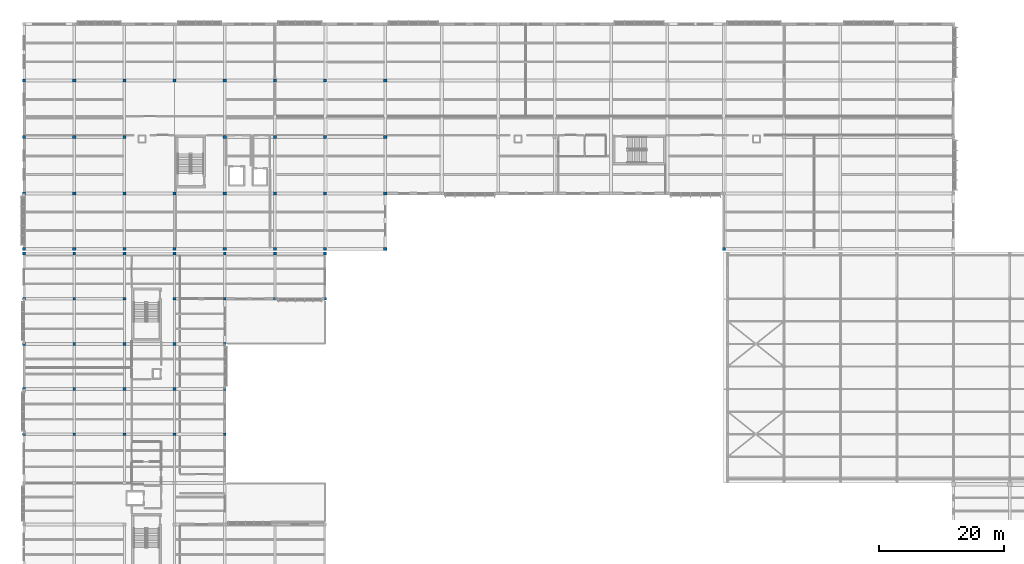
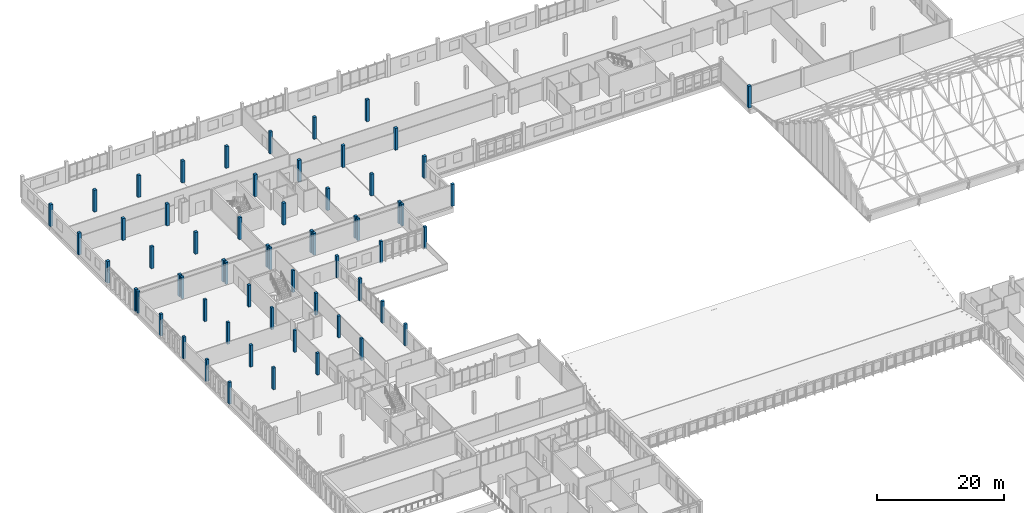
# One storey, part 3 of 182: 61 columns.
"""IFC4 building model written with IfcOpenShell, lengths in metres."""

import ifcopenshell
import ifcopenshell.guid

model = None  # the IFC model being written
_history = None  # IfcOwnerHistory: only IFC2X3 demands one
_inside = {}  # id of a spatial element -> (the spatial element, [elements in it])
_under = {}  # id of a project, library or spatial element -> (it, [spatial elements below it])
_declared = {}  # id of a project -> (the project, [libraries it declares])
_typed = {}  # id of a type object -> (the type object, [elements of that type])
_made_of = {}  # id of a material, layer set ... -> (it, [elements and type objects made of it])


def new_model(schema):
    """Start an empty IFC model of exactly this schema.

    Asked for "IFC4X3", IfcOpenShell would pick the latest addendum, in which some entities
    have other attributes; the version numbers below select the first issue.
    IFC2X3 requires an IfcOwnerHistory on every rooted entity: one is made here for all.
    """
    global model, _history
    if schema == "IFC4X3":
        model = ifcopenshell.file(schema_version=(4, 3, 0, 0))
    else:
        model = ifcopenshell.file(schema=schema)
    _inside.clear()
    _under.clear()
    _declared.clear()
    _typed.clear()
    _made_of.clear()
    _history = None
    if model.schema == "IFC2X3":
        org = make("IfcOrganization", Name="unknown")
        user = make(
            "IfcPersonAndOrganization",
            ThePerson=make("IfcPerson", FamilyName="unknown"),
            TheOrganization=org,
        )
        app = make(
            "IfcApplication",
            ApplicationDeveloper=org,
            Version="unknown",
            ApplicationFullName="unknown",
            ApplicationIdentifier="unknown",
        )
        _history = make(
            "IfcOwnerHistory",
            OwningUser=user,
            OwningApplication=app,
            ChangeAction="ADDED",
            CreationDate=0,
        )
    return model


def make(cls, **values):
    """One entity of the class cls with the attributes given. An attribute that is None is left unset."""
    return model.create_entity(
        cls, **{name: value for name, value in values.items() if value is not None}
    )


def rooted(cls, **values):
    """An entity with a GlobalId (a new one), such as an element, a storey or a relation."""
    return make(cls, GlobalId=ifcopenshell.guid.new(), OwnerHistory=_history, **values)


def si_unit(unit_type, name, prefix=None):
    """IfcSIUnit, for example si_unit("LENGTHUNIT", "METRE", prefix="MILLI")."""
    return make("IfcSIUnit", UnitType=unit_type, Prefix=prefix, Name=name)


def assignment(units):
    """IfcUnitAssignment: the units of a project."""
    return None if units is None else make("IfcUnitAssignment", Units=units)


def point(xyz):
    """IfcCartesianPoint."""
    return None if xyz is None else make("IfcCartesianPoint", Coordinates=xyz)


def direction(xyz):
    """IfcDirection."""
    return None if xyz is None else make("IfcDirection", DirectionRatios=xyz)


def frame(location, z_axis=None, x_axis=None):
    """IfcAxis2Placement3D, a coordinate frame: its origin and axes. An axis left out is left unset."""
    return make(
        "IfcAxis2Placement3D",
        Location=point(location),
        Axis=direction(z_axis),
        RefDirection=direction(x_axis),
    )


def frame_2d(location, x_axis=None):
    """IfcAxis2Placement2D, a coordinate frame in the plane: its origin and x axis."""
    return make(
        "IfcAxis2Placement2D", Location=point(location), RefDirection=direction(x_axis)
    )


def origin():
    """The frame at (0, 0, 0) with its axes left unset."""
    return frame((0.0, 0.0, 0.0))


def origin_2d():
    """The frame at (0, 0) in the plane with its x axis left unset."""
    return frame_2d((0.0, 0.0))


def place(relative_to, where):
    """IfcLocalPlacement: puts the frame where relative to a parent placement (None: the world)."""
    return make(
        "IfcLocalPlacement", PlacementRelTo=relative_to, RelativePlacement=where
    )


def context(
    kind, dimensions, precision=None, world=None, true_north=None, identifier=None
):
    """IfcGeometricRepresentationContext, for example the 3D "Model" context."""
    return make(
        "IfcGeometricRepresentationContext",
        ContextIdentifier=identifier,
        ContextType=kind,
        CoordinateSpaceDimension=dimensions,
        Precision=precision,
        WorldCoordinateSystem=world,
        TrueNorth=true_north,
    )


def subcontext(parent, identifier, kind, view, scale=None):
    """IfcGeometricRepresentationSubContext, for example "Body" below "Model"."""
    return make(
        "IfcGeometricRepresentationSubContext",
        ContextIdentifier=identifier,
        ContextType=kind,
        ParentContext=parent,
        TargetScale=scale,
        TargetView=view,
    )


def project(units=None, contexts=None):
    """IfcProject with its units and contexts."""
    return rooted(
        "IfcProject",
        Name="project",
        RepresentationContexts=contexts,
        UnitsInContext=assignment(units),
    )


def spatial(cls, under=None, at=None, **own):
    """A site, building, storey or space (cls), placed at a placement, below another one or the project."""
    s = rooted(cls, ObjectPlacement=at, **own)
    if under is not None:
        _under.setdefault(under.id(), (under, []))[1].append(s)
    return s


def profile(cls, at=None, kind="AREA", **sizes):
    """A parametric profile (cls). Its sizes go by their IFC names, for example OverallWidth=200.0."""
    return make(cls, ProfileType=kind, Position=at, **sizes)


def rectangle(**sizes):
    """IfcRectangleProfileDef."""
    return profile("IfcRectangleProfileDef", **sizes)


def extrude(swept, where, along, depth):
    """IfcExtrudedAreaSolid: the profile swept, set in the frame where, extruded along a direction by depth."""
    return make(
        "IfcExtrudedAreaSolid",
        SweptArea=swept,
        Position=where,
        ExtrudedDirection=direction(along),
        Depth=depth,
    )


def shape(context_of_items, identifier, shape_type, items):
    """IfcShapeRepresentation: the items that make up one representation, for example the "Body"."""
    return make(
        "IfcShapeRepresentation",
        ContextOfItems=context_of_items,
        RepresentationIdentifier=identifier,
        RepresentationType=shape_type,
        Items=items,
    )


def material(Name=None, Category=None):
    """IfcMaterial."""
    return make("IfcMaterial", Name=Name, Category=Category)


def material_profile(
    of_material, cross_section, Name=None, Category=None, Priority=None
):
    """IfcMaterialProfile: a cross section and its material."""
    return make(
        "IfcMaterialProfile",
        Name=Name,
        Material=of_material,
        Profile=cross_section,
        Priority=Priority,
        Category=Category,
    )


def profile_set(profiles, Name=None, composite=None):
    """IfcMaterialProfileSet."""
    return make(
        "IfcMaterialProfileSet",
        Name=Name,
        MaterialProfiles=profiles,
        CompositeProfile=composite,
    )


def made_of(thing, what):
    """Note that an element or type object is made of a material, layer set ...; save() writes the relation."""
    if what is not None:
        _made_of.setdefault(what.id(), (what, []))[1].append(thing)
    return thing


def type_object(cls, material=None, **own):
    """A type object (cls), such as IfcWallType, which elements share."""
    return made_of(rooted(cls, **own), material)


def element(
    cls,
    number,
    at=None,
    inside=None,
    cuts=None,
    type_object=None,
    material=None,
    context=None,
    identifier="Body",
    shape_type=None,
    held_by="IfcProductDefinitionShape",
    body=None,
    shapes=None,
    **own,
):
    """One element of the class cls, such as IfcWall. Its Tag is "e" and its number.

    at: its placement. inside: the storey or other place that contains it. cuts: it is an
    opening in that element (IfcRelVoidsElement). A single representation is given by context,
    identifier, shape_type and body (its items); several are given by shapes. held_by: the class
    of the entity that holds the representations. save() writes the other relations.
    """
    e = rooted(cls, Tag="e%d" % number, ObjectPlacement=at, **own)
    if body is not None:
        shapes = [shape(context, identifier, shape_type, body)]
    if shapes is not None:
        e.Representation = make(held_by, Representations=shapes)
    if inside is not None:
        _inside.setdefault(inside.id(), (inside, []))[1].append(e)
    if cuts is not None:
        rooted(
            "IfcRelVoidsElement", RelatingBuildingElement=cuts, RelatedOpeningElement=e
        )
    if type_object is not None:
        _typed.setdefault(type_object.id(), (type_object, []))[1].append(e)
    return made_of(e, material)


def aggregate(whole, parts):
    """IfcRelAggregates: a whole, such as a stair, and the parts it consists of."""
    return rooted("IfcRelAggregates", RelatingObject=whole, RelatedObjects=parts)


def save(model, path):
    """Write the relations noted so far, then the file.

    IfcRelAggregates (storeys below a building ...), IfcRelContainedInSpatialStructure (elements
    in a storey), IfcRelDefinesByType, IfcRelAssociatesMaterial and IfcRelDeclares: one each for
    every whole, place, type object, material and project.
    """
    for whole, parts in _under.values():
        aggregate(whole, parts)
    for where, things in _inside.values():
        rooted(
            "IfcRelContainedInSpatialStructure",
            RelatedElements=things,
            RelatingStructure=where,
        )
    for kind, things in _typed.values():
        rooted("IfcRelDefinesByType", RelatedObjects=things, RelatingType=kind)
    for what, things in _made_of.values():
        rooted("IfcRelAssociatesMaterial", RelatedObjects=things, RelatingMaterial=what)
    for by, libraries in _declared.values():
        rooted("IfcRelDeclares", RelatingContext=by, RelatedDefinitions=libraries)
    model.write(path)


model = new_model("IFC4")

# Units and contexts
model_context = context("Model", 3, precision=1e-05, world=origin(), true_north=direction((0.0, 1.0)))
body_context = subcontext(model_context, "Body", "Model", "MODEL_VIEW")
ifc_project = project(units=[si_unit("LENGTHUNIT", "METRE"), si_unit("AREAUNIT", "SQUARE_METRE"), si_unit("VOLUMEUNIT", "CUBIC_METRE"), si_unit("PLANEANGLEUNIT", "RADIAN"), si_unit("MASSUNIT", "GRAM", prefix="KILO")], contexts=[model_context])

# Site, building, storey
site_placement = place(None, origin())
site = spatial("IfcSite", under=ifc_project, at=site_placement, CompositionType="ELEMENT")
building_placement = place(site_placement, origin())
building = spatial("IfcBuilding", under=site, at=building_placement, Name="Chiffa Square Polytechnic", CompositionType="ELEMENT")
storey_placement = place(building_placement, frame((0.0, 0.0, 9.60009765625)))
storey = spatial("IfcBuildingStorey", under=building, at=storey_placement, Name="L02", CompositionType="ELEMENT", Elevation=9.60009765625)

# Columns
ifc_material = material(Name="Concrete C35/45", Category="concrete")
ifc_material_profile_1 = material_profile(ifc_material, rectangle(XDim=0.449951171875, YDim=0.449951171875, at=origin_2d()), Name="RC 450x450")
ifc_profile_set_1 = profile_set([ifc_material_profile_1], Name="Concrete C35/45")
column_type_1 = type_object("IfcColumnType", Name="COL-RC-450", PredefinedType="COLUMN", material=ifc_profile_set_1)
for number, where, z_axis, x_axis, name in (
    (1, (0.0, 65.39990234375, 0.0), (0.0, 0.0, 1.0), (1.0, 0.0, 0.0), "Column C-V6-L02-0000-0654"),
    (2, (0.0, 72.60009765625, 0.0), (0.0, 0.0, 1.0), (1.0, 0.0, 0.0), "Column C-V6-L02-0000-0726"),
    (3, (0.0, 79.800048828125, 0.0), (0.0, 0.0, 1.0), (1.0, 0.0, 0.0), "Column C-V6-L02-0000-0798"),
    (4, (0.0, 87.0, 0.0), (0.0, 0.0, 1.0), (1.0, 0.0, 0.0), "Column C-V6-L02-0000-0870"),
    (5, (0.0, 94.199951171875, 0.0), (0.0, 0.0, 1.0), (1.0, 0.0, 0.0), "Column C-V6-L02-0000-0942"),
    (6, (8.0, 65.39990234375, 0.0), (0.0, 0.0, 1.0), (1.0, 0.0, 0.0), "Column C-V6-L02-0080-0654"),
    (7, (8.0, 72.60009765625, 0.0), (0.0, 0.0, 1.0), (1.0, 0.0, 0.0), "Column C-V6-L02-0080-0726"),
    (8, (8.0, 79.800048828125, 0.0), (0.0, 0.0, 1.0), (1.0, 0.0, 0.0), "Column C-V6-L02-0080-0798"),
    (9, (8.0, 87.0, 0.0), (0.0, 0.0, 1.0), (1.0, 0.0, 0.0), "Column C-V6-L02-0080-0870"),
    (10, (8.0, 94.199951171875, 0.0), (0.0, 0.0, 1.0), (1.0, 0.0, 0.0), "Column C-V6-L02-0080-0942"),
    (11, (16.0, 65.39990234375, 0.0), (0.0, 0.0, 1.0), (1.0, 0.0, 0.0), "Column C-V6-L02-0160-0654"),
    (12, (16.0, 72.60009765625, 0.0), (0.0, 0.0, 1.0), (1.0, 0.0, 0.0), "Column C-V6-L02-0160-0726"),
    (13, (16.0, 79.800048828125, 0.0), (0.0, 0.0, 1.0), (1.0, 0.0, 0.0), "Column C-V6-L02-0160-0798"),
    (14, (16.0, 87.0, 0.0), (0.0, 0.0, 1.0), (1.0, 0.0, 0.0), "Column C-V6-L02-0160-0870"),
    (15, (16.0, 94.199951171875, 0.0), (0.0, 0.0, 1.0), (1.0, 0.0, 0.0), "Column C-V6-L02-0160-0942"),
    (16, (24.0, 65.39990234375, 0.0), (0.0, 0.0, 1.0), (1.0, 0.0, 0.0), "Column C-V6-L02-0240-0654"),
    (17, (24.0, 72.60009765625, 0.0), (0.0, 0.0, 1.0), (1.0, 0.0, 0.0), "Column C-V6-L02-0240-0726"),
    (18, (24.0, 79.800048828125, 0.0), (0.0, 0.0, 1.0), (1.0, 0.0, 0.0), "Column C-V6-L02-0240-0798"),
    (19, (24.0, 87.0, 0.0), (0.0, 0.0, 1.0), (1.0, 0.0, 0.0), "Column C-V6-L02-0240-0870"),
    (20, (24.0, 94.199951171875, 0.0), (0.0, 0.0, 1.0), (1.0, 0.0, 0.0), "Column C-V6-L02-0240-0942"),
    (21, (32.0, 65.39990234375, 0.0), (0.0, 0.0, 1.0), (1.0, 0.0, 0.0), "Column C-V6-L02-0320-0654"),
    (22, (32.0, 72.60009765625, 0.0), (0.0, 0.0, 1.0), (1.0, 0.0, 0.0), "Column C-V6-L02-0320-0726"),
    (23, (32.0, 79.800048828125, 0.0), (0.0, 0.0, 1.0), (1.0, 0.0, 0.0), "Column C-V6-L02-0320-0798"),
    (24, (32.0, 87.0, 0.0), (0.0, 0.0, 1.0), (1.0, 0.0, 0.0), "Column C-V6-L02-0320-0870"),
    (25, (32.0, 94.199951171875, 0.0), (0.0, 0.0, 1.0), (1.0, 0.0, 0.0), "Column C-V6-L02-0320-0942"),
    (26, (40.0, 87.0, 0.0), (0.0, 0.0, 1.0), (1.0, 0.0, 0.0), "Column C-V6-L02-0400-0870"),
    (27, (40.0, 94.199951171875, 0.0), (0.0, 0.0, 1.0), (1.0, 0.0, 0.0), "Column C-V6-L02-0400-0942"),
    (28, (48.0, 87.0, 0.0), (0.0, 0.0, 1.0), (1.0, 0.0, 0.0), "Column C-V6-L02-0480-0870"),
    (29, (48.0, 94.199951171875, 0.0), (0.0, 0.0, 1.0), (1.0, 0.0, 0.0), "Column C-V6-L02-0480-0942"),
):
    element("IfcColumn", number, at=place(storey_placement, frame(where, z_axis=z_axis, x_axis=x_axis)), inside=storey, type_object=column_type_1, Name=name, PredefinedType="COLUMN", context=body_context, shape_type="SweptSolid", body=[
        extrude(rectangle(XDim=0.449951171875, YDim=0.449951171875, at=origin_2d()), origin(), (0.0, 0.0, 1.0), 4.199951171875),
    ])
ifc_material_profile_2 = material_profile(ifc_material, rectangle(XDim=0.5, YDim=0.5, at=origin_2d()), Name="RC 500x500")
ifc_profile_set_2 = profile_set([ifc_material_profile_2], Name="Concrete C35/45")
column_type_2 = type_object("IfcColumnType", Name="COL-RC-500", PredefinedType="COLUMN", material=ifc_profile_set_2)
for number, where, z_axis, x_axis, name in (
    (30, (0.0, 94.949951171875, 0.0), (0.0, 0.0, 1.0), (1.0, 0.0, 0.0), "Column C-V5-L02-0000-0950"),
    (31, (0.0, 103.800048828125, 0.0), (0.0, 0.0, 1.0), (1.0, 0.0, 0.0), "Column C-V5-L02-0000-1038"),
    (32, (0.0, 112.800048828125, 0.0), (0.0, 0.0, 1.0), (1.0, 0.0, 0.0), "Column C-V5-L02-0000-1128"),
    (33, (0.0, 121.800048828125, 0.0), (0.0, 0.0, 1.0), (1.0, 0.0, 0.0), "Column C-V5-L02-0000-1218"),
    (34, (8.0, 94.949951171875, 0.0), (0.0, 0.0, 1.0), (1.0, 0.0, 0.0), "Column C-V5-L02-0080-0950"),
    (35, (8.0, 103.800048828125, 0.0), (0.0, 0.0, 1.0), (1.0, 0.0, 0.0), "Column C-V5-L02-0080-1038"),
    (36, (8.0, 112.800048828125, 0.0), (0.0, 0.0, 1.0), (1.0, 0.0, 0.0), "Column C-V5-L02-0080-1128"),
    (37, (8.0, 121.800048828125, 0.0), (0.0, 0.0, 1.0), (1.0, 0.0, 0.0), "Column C-V5-L02-0080-1218"),
    (38, (16.0, 94.949951171875, 0.0), (0.0, 0.0, 1.0), (1.0, 0.0, 0.0), "Column C-V5-L02-0160-0950"),
    (39, (16.0, 103.800048828125, 0.0), (0.0, 0.0, 1.0), (1.0, 0.0, 0.0), "Column C-V5-L02-0160-1038"),
    (40, (16.0, 112.800048828125, 0.0), (0.0, 0.0, 1.0), (1.0, 0.0, 0.0), "Column C-V5-L02-0160-1128"),
    (41, (16.0, 121.800048828125, 0.0), (0.0, 0.0, 1.0), (1.0, 0.0, 0.0), "Column C-V5-L02-0160-1218"),
    (42, (24.0, 94.949951171875, 0.0), (0.0, 0.0, 1.0), (1.0, 0.0, 0.0), "Column C-V5-L02-0240-0950"),
    (43, (24.0, 103.800048828125, 0.0), (0.0, 0.0, 1.0), (1.0, 0.0, 0.0), "Column C-V5-L02-0240-1038"),
    (44, (24.0, 121.800048828125, 0.0), (0.0, 0.0, 1.0), (1.0, 0.0, 0.0), "Column C-V5-L02-0240-1218"),
    (45, (32.0, 94.949951171875, 0.0), (0.0, 0.0, 1.0), (1.0, 0.0, 0.0), "Column C-V5-L02-0320-0950"),
    (46, (32.0, 103.800048828125, 0.0), (0.0, 0.0, 1.0), (1.0, 0.0, 0.0), "Column C-V5-L02-0320-1038"),
    (47, (32.0, 112.800048828125, 0.0), (0.0, 0.0, 1.0), (1.0, 0.0, 0.0), "Column C-V5-L02-0320-1128"),
    (48, (32.0, 121.800048828125, 0.0), (0.0, 0.0, 1.0), (1.0, 0.0, 0.0), "Column C-V5-L02-0320-1218"),
    (49, (40.0, 94.949951171875, 0.0), (0.0, 0.0, 1.0), (1.0, 0.0, 0.0), "Column C-V5-L02-0400-0950"),
    (50, (40.0, 103.800048828125, 0.0), (0.0, 0.0, 1.0), (1.0, 0.0, 0.0), "Column C-V5-L02-0400-1038"),
    (51, (40.0, 112.800048828125, 0.0), (0.0, 0.0, 1.0), (1.0, 0.0, 0.0), "Column C-V5-L02-0400-1128"),
    (52, (40.0, 121.800048828125, 0.0), (0.0, 0.0, 1.0), (1.0, 0.0, 0.0), "Column C-V5-L02-0400-1218"),
    (53, (48.0, 94.949951171875, 0.0), (0.0, 0.0, 1.0), (1.0, 0.0, 0.0), "Column C-V5-L02-0480-0950"),
    (54, (48.0, 103.800048828125, 0.0), (0.0, 0.0, 1.0), (1.0, 0.0, 0.0), "Column C-V5-L02-0480-1038"),
    (55, (48.0, 112.800048828125, 0.0), (0.0, 0.0, 1.0), (1.0, 0.0, 0.0), "Column C-V5-L02-0480-1128"),
    (56, (48.0, 121.800048828125, 0.0), (0.0, 0.0, 1.0), (1.0, 0.0, 0.0), "Column C-V5-L02-0480-1218"),
    (57, (57.60009765625, 94.949951171875, 0.0), (0.0, 0.0, 1.0), (1.0, 0.0, 0.0), "Column C-V5-L02-0576-0950"),
    (58, (57.60009765625, 103.800048828125, 0.0), (0.0, 0.0, 1.0), (1.0, 0.0, 0.0), "Column C-V5-L02-0576-1038"),
    (59, (57.60009765625, 112.800048828125, 0.0), (0.0, 0.0, 1.0), (1.0, 0.0, 0.0), "Column C-V5-L02-0576-1128"),
    (60, (57.60009765625, 121.800048828125, 0.0), (0.0, 0.0, 1.0), (1.0, 0.0, 0.0), "Column C-V5-L02-0576-1218"),
    (61, (111.60009765625, 94.949951171875, 0.0), (0.0, 0.0, 1.0), (1.0, 0.0, 0.0), "Column C-V5-L02-1116-0950"),
):
    element("IfcColumn", number, at=place(storey_placement, frame(where, z_axis=z_axis, x_axis=x_axis)), inside=storey, type_object=column_type_2, Name=name, PredefinedType="COLUMN", context=body_context, shape_type="SweptSolid", body=[
        extrude(rectangle(XDim=0.5, YDim=0.5, at=origin_2d()), origin(), (0.0, 0.0, 1.0), 4.199951171875),
    ])

save(model, "model.ifc")
